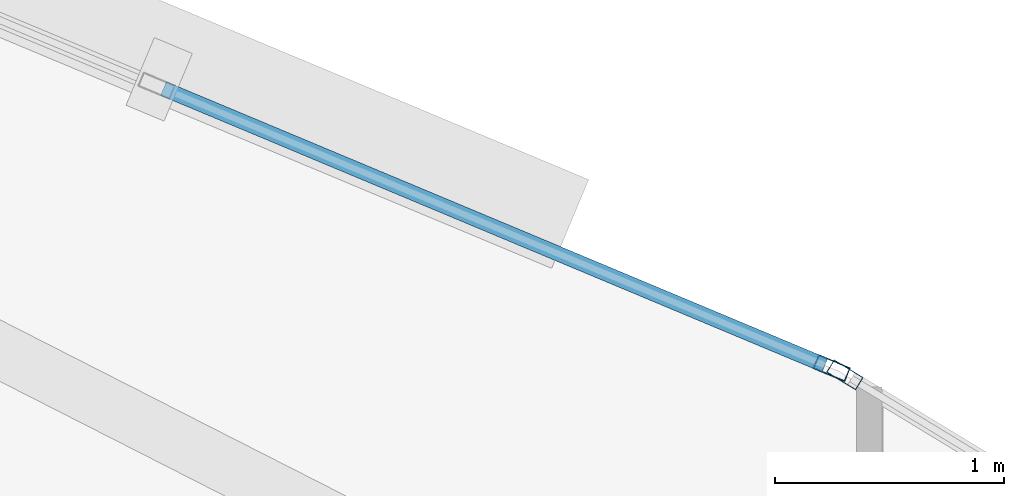
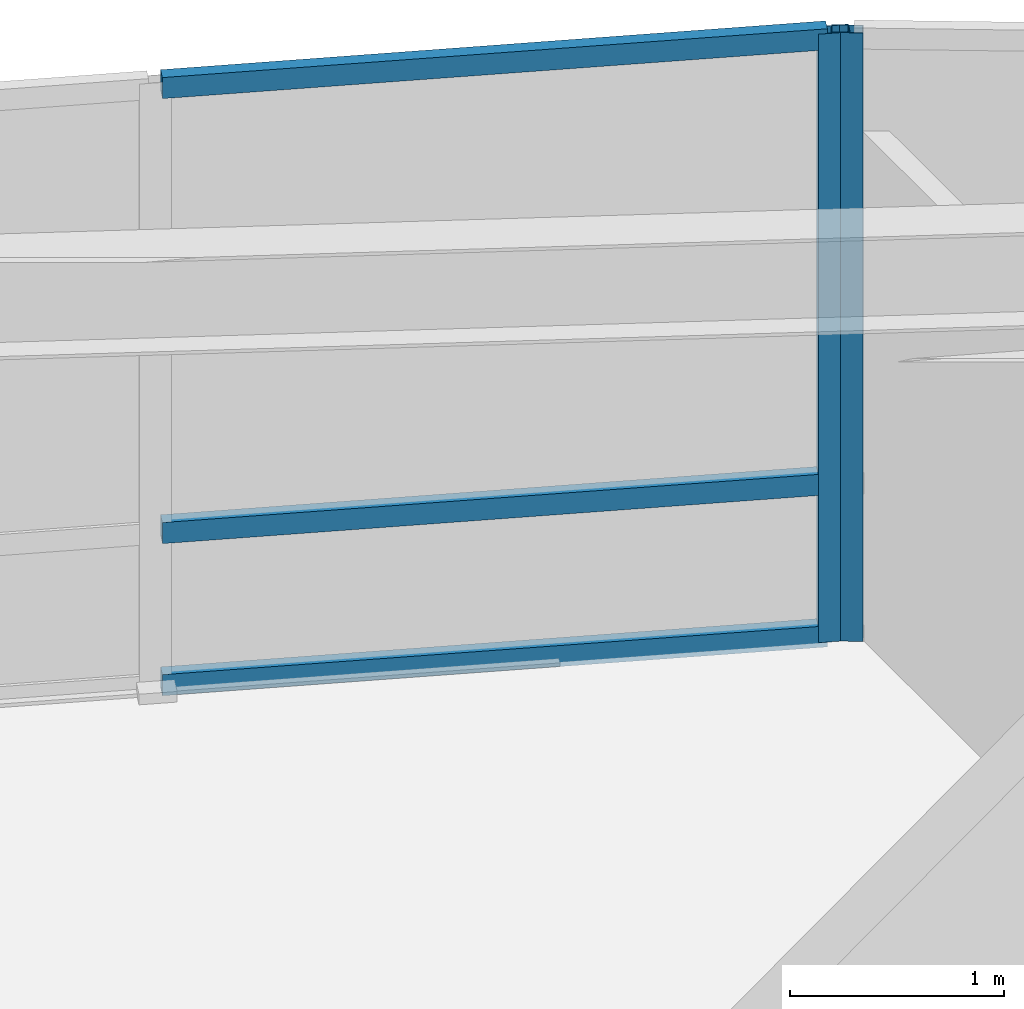
# One storey, part 13 of 18: 5 members, 2 elements without a shape of their own.
"""IFC4 building model written with IfcOpenShell, lengths in metres."""

from ifc_helpers import new_model, si_unit, direction, frame, origin, origin_2d, place, context, subcontext, project, spatial, hollow_rectangle, extrude, material, layer, layer_set, material_profile, profile_set, type_object, element, aggregate, save


model = new_model("IFC4")

# Units and contexts
model_context = context("Model", 3, precision=1e-05, world=origin(), true_north=direction((0.0, 1.0)))
body_context = subcontext(model_context, "Body", "Model", "MODEL_VIEW")
ifc_project = project(units=[si_unit("LENGTHUNIT", "METRE"), si_unit("AREAUNIT", "SQUARE_METRE"), si_unit("VOLUMEUNIT", "CUBIC_METRE"), si_unit("PLANEANGLEUNIT", "RADIAN"), si_unit("MASSUNIT", "GRAM", prefix="KILO")], contexts=[model_context])

# Site, building, storey
site_placement = place(None, origin())
site = spatial("IfcSite", under=ifc_project, at=site_placement, CompositionType="ELEMENT")
building_placement = place(site_placement, origin())
building = spatial("IfcBuilding", under=site, at=building_placement, Name="Menara Vayukalpa", CompositionType="ELEMENT")
storey_placement = place(building_placement, frame((0.0, 0.0, 126.300048828125)))
storey = spatial("IfcBuildingStorey", under=building, at=storey_placement, Name="L31", CompositionType="ELEMENT", Elevation=126.300048828125)

# Curtain wall, member
ifc_material_1 = material(Name="Anodised Terracotta Aluminium Alloy 6063-T6", Category="masonry")
ifc_layer = layer(ifc_material_1, 0.14990234375)
ifc_layer_set = layer_set([ifc_layer], Name="Anodised Terracotta Aluminium Alloy 6063-T6")
curtain_wall_type = type_object("IfcCurtainWallType", Name="CW-CW3", PredefinedType="USERDEFINED", material=ifc_layer_set)
curtain_wall_1_placement = place(storey_placement, origin())
curtain_wall_1 = element("IfcCurtainWall", 1, at=curtain_wall_1_placement, inside=storey, type_object=curtain_wall_type, Name="L31 Mid Rise Terracotta Ribbon Curtain Wall CW3 04", ObjectType="UNITISED", PredefinedType="USERDEFINED")
ifc_material_2 = material(Name="Anodised Terracotta Aluminium Alloy 6063-T6", Category="masonry")
ifc_material_profile_1 = material_profile(ifc_material_2, hollow_rectangle(XDim=0.06494140625, YDim=0.14990234375, WallThickness=0.00341796875, at=origin_2d()), Name="ALU 65x150x3.5")
ifc_profile_set_1 = profile_set([ifc_material_profile_1], Name="Anodised Terracotta Aluminium Alloy 6063-T6")
member_type_1 = type_object("IfcMemberType", Name="CWM-CW3", PredefinedType="MULLION", material=ifc_profile_set_1)
member_1_placement = place(storey_placement, frame((29.8935546875, 31.938232421875, 0.0), z_axis=(0.0, 0.0, 1.0), x_axis=(-0.519182959112, -0.854663123674, 0.0)))
member_1 = element("IfcMember", 2, at=member_1_placement, type_object=member_type_1, Name="CW3 mullion 3", PredefinedType="MULLION", context=body_context, shape_type="SweptSolid", body=[
    extrude(hollow_rectangle(XDim=0.06494140625, YDim=0.14990234375, WallThickness=0.00341796875, at=origin_2d()), origin(), (0.0, 0.0, 1.0), 3.469970703125),
])
aggregate(curtain_wall_1, [member_1])

# Curtain wall, members
curtain_wall_2_placement = place(storey_placement, origin())
curtain_wall_2 = element("IfcCurtainWall", 3, at=curtain_wall_2_placement, inside=storey, type_object=curtain_wall_type, Name="L31 Mid Rise Terracotta Ribbon Curtain Wall CW3 05", ObjectType="UNITISED", PredefinedType="USERDEFINED")
member_2_placement = place(storey_placement, frame((29.8359375, 31.9677734375, 0.0), z_axis=(0.0, 0.0, 1.0), x_axis=(-0.38589358437, -0.922543300632, 0.0)))
member_2 = element("IfcMember", 4, at=member_2_placement, type_object=member_type_1, Name="CW3 mullion 1", PredefinedType="MULLION", context=body_context, shape_type="SweptSolid", body=[
    extrude(hollow_rectangle(XDim=0.06494140625, YDim=0.14990234375, WallThickness=0.00341796875, at=origin_2d()), origin(), (0.0, 0.0, 1.0), 3.469970703125),
])
ifc_material_3 = material(Name="Anodised Terracotta Aluminium Alloy 6063-T6", Category="masonry")
ifc_material_profile_2 = material_profile(ifc_material_3, hollow_rectangle(XDim=0.06494140625, YDim=0.1201171875, WallThickness=0.00341796875, at=origin_2d()), Name="ALU 65x120x3.5")
ifc_profile_set_2 = profile_set([ifc_material_profile_2], Name="Anodised Terracotta Aluminium Alloy 6063-T6")
member_type_2 = type_object("IfcMemberType", Name="CWT-CW3", PredefinedType="USERDEFINED", material=ifc_profile_set_2)
member_3_placement = place(storey_placement, frame((29.805908203125, 31.980224609375, 0.032470703125), z_axis=(-0.922517812792, 0.385954511673, 0.0), x_axis=(-0.385954511673, -0.922517812792, 0.0)))
member_3 = element("IfcMember", 5, at=member_3_placement, type_object=member_type_2, Name="CW3 transom 1.1", ObjectType="TRANSOM", PredefinedType="USERDEFINED", context=body_context, shape_type="SweptSolid", body=[
    extrude(hollow_rectangle(XDim=0.06494140625, YDim=0.1201171875, WallThickness=0.00341796875, at=origin_2d()), origin(), (0.0, 0.0, 1.0), 3.1318359375),
])
member_4_placement = place(storey_placement, frame((29.805908203125, 31.980224609375, 0.89990234375), z_axis=(-0.922517812792, 0.385954511673, 0.0), x_axis=(-0.385954511673, -0.922517812792, 0.0)))
member_4 = element("IfcMember", 6, at=member_4_placement, type_object=member_type_2, Name="CW3 transom 1.2", ObjectType="TRANSOM", PredefinedType="USERDEFINED", context=body_context, shape_type="SweptSolid", body=[
    extrude(hollow_rectangle(XDim=0.06494140625, YDim=0.1201171875, WallThickness=0.00341796875, at=origin_2d()), origin(), (0.0, 0.0, 1.0), 3.1318359375),
])
member_5_placement = place(storey_placement, frame((29.805908203125, 31.980224609375, 3.4375), z_axis=(-0.922517812792, 0.385954511673, 0.0), x_axis=(-0.385954511673, -0.922517812792, 0.0)))
member_5 = element("IfcMember", 7, at=member_5_placement, type_object=member_type_2, Name="CW3 transom 1.3", ObjectType="TRANSOM", PredefinedType="USERDEFINED", context=body_context, shape_type="SweptSolid", body=[
    extrude(hollow_rectangle(XDim=0.06494140625, YDim=0.1201171875, WallThickness=0.00341796875, at=origin_2d()), origin(), (0.0, 0.0, 1.0), 3.1318359375),
])
aggregate(curtain_wall_2, [member_2, member_3, member_4, member_5])

save(model, "model.ifc")
